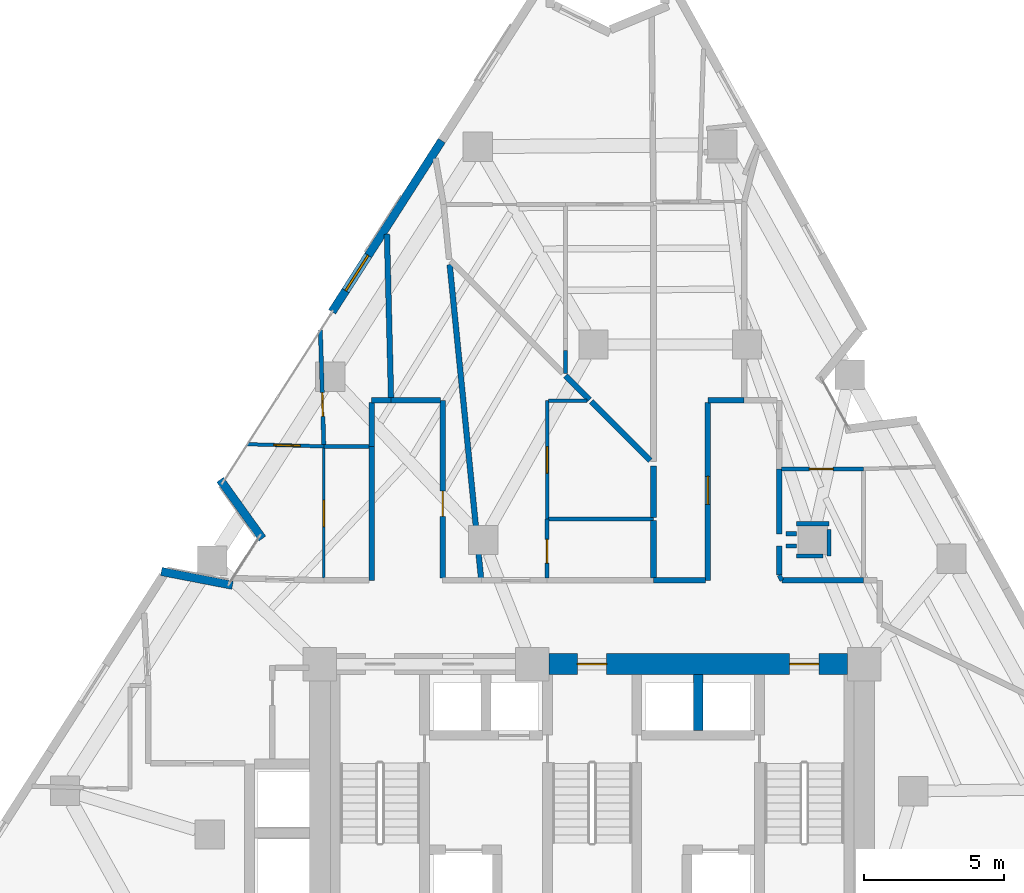
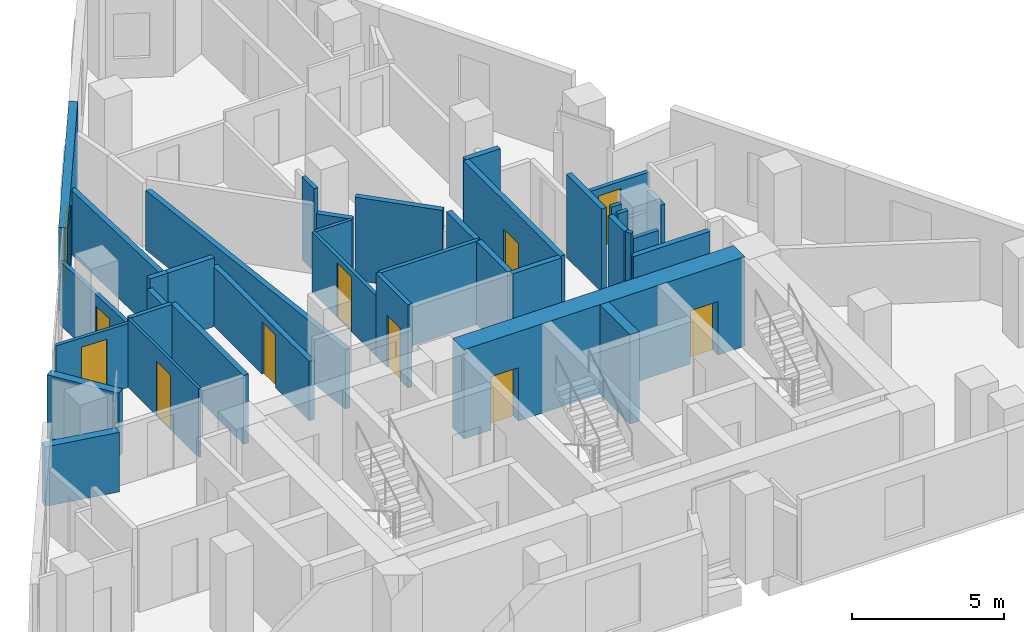
# One storey, part 7 of 11: 38 walls, 10 doors, 1 window, 11 openings.
"""IFC4 building model written with IfcOpenShell, lengths in metres."""

from ifc_helpers import new_model, si_unit, direction, frame, frame_2d, origin, place, context, subcontext, project, spatial, rectangle, extrude, material, layer, layer_set, type_object, element, fill, save


model = new_model("IFC4")

# Units and contexts
model_context = context("Model", 3, precision=1e-05, world=origin(), true_north=direction((0.0, 1.0)))
body_context = subcontext(model_context, "Body", "Model", "MODEL_VIEW")
ifc_project = project(units=[si_unit("LENGTHUNIT", "METRE"), si_unit("AREAUNIT", "SQUARE_METRE"), si_unit("VOLUMEUNIT", "CUBIC_METRE"), si_unit("PLANEANGLEUNIT", "RADIAN"), si_unit("MASSUNIT", "GRAM", prefix="KILO")], contexts=[model_context])

# Site, building, storey
site_placement = place(None, origin())
site = spatial("IfcSite", under=ifc_project, at=site_placement, CompositionType="ELEMENT")
building_placement = place(site_placement, origin())
building = spatial("IfcBuilding", under=site, at=building_placement, Name="Almagre Mirador Tower", CompositionType="ELEMENT")
storey_placement = place(building_placement, frame((0.0, 0.0, 168.0)))
storey = spatial("IfcBuildingStorey", under=building, at=storey_placement, Name="L43", CompositionType="ELEMENT", Elevation=168.0)

# Walls
ifc_material_1 = material(Name="Precast concrete C50/60", Category="concrete")
ifc_layer_1 = layer(ifc_material_1, 0.300048828125)
ifc_layer_set_1 = layer_set([ifc_layer_1], Name="Precast concrete C50/60")
wall_type_1 = type_object("IfcWallType", Name="WAL-EXT-300", PredefinedType="SOLIDWALL", material=ifc_layer_set_1)
wall_1_placement = place(storey_placement, frame((21.87060546875, 18.069580078125, 0.0), z_axis=(0.0, 0.0, 1.0), x_axis=(0.98176398898, -0.190103839891, 0.0)))
element("IfcWall", 1, at=wall_1_placement, inside=storey, type_object=wall_type_1, Name="L43 expressed almagre precast frame wall 01", PredefinedType="SOLIDWALL", context=body_context, shape_type="SweptSolid", body=[
    extrude(rectangle(XDim=2.59423828125, YDim=0.300048828125, at=frame_2d((1.297119140625, 0.0))), origin(), (0.0, 0.0, 1.0), 2.39794921875),
])
wall_2_placement = place(storey_placement, frame((25.488525390625, 19.249267578125, 0.0), z_axis=(0.0, 0.0, 1.0), x_axis=(-0.58299973372, 0.812472344442, 0.0)))
element("IfcWall", 2, at=wall_2_placement, inside=storey, type_object=wall_type_1, Name="L43 expressed almagre precast frame wall 02", PredefinedType="SOLIDWALL", context=body_context, shape_type="SweptSolid", body=[
    extrude(rectangle(XDim=2.59375, YDim=0.300048828125, at=frame_2d((1.296875, 0.0))), origin(), (0.0, 0.0, 1.0), 2.574951171875),
])

# Wall, opening, window
wall_3_placement = place(storey_placement, frame((27.986083984375, 27.372802734375, 0.0), z_axis=(0.0, 0.0, 1.0), x_axis=(0.539557017358, 0.841949063198, 0.0)))
wall_3 = element("IfcWall", 3, at=wall_3_placement, inside=storey, type_object=wall_type_1, Name="L43 expressed almagre precast frame wall 03", PredefinedType="SOLIDWALL", context=body_context, shape_type="SweptSolid", body=[
    extrude(rectangle(XDim=7.280029296875, YDim=0.300048828125, at=frame_2d((3.64013671875, 0.0))), origin(), (0.0, 0.0, 1.0), 3.35009765625),
])
opening_1_placement = place(wall_3_placement, frame((0.89990234375, 0.0, 0.60009765625)))
opening_1 = element("IfcOpeningElement", 4, at=opening_1_placement, cuts=wall_3, Name="Opening WN-03", PredefinedType="OPENING", context=body_context, shape_type="SweptSolid", body=[
    extrude(rectangle(XDim=1.5, YDim=2.10009765625, at=frame_2d((0.75, 1.050048828125))), frame((0.0, 0.159902, 0.0), z_axis=(0.0, -1.0, 0.0), x_axis=(1.0, 0.0, 0.0)), (0.0, 0.0, 1.0), 0.320049),
])
ifc_material_2 = material(Name="Dark solar-control laminated hurricane glass", Category="glass")
window_type = type_object("IfcWindowType", Name="WIN-1500X2100", PartitioningType="DOUBLE_PANEL_VERTICAL", PredefinedType="WINDOW", material=ifc_material_2)
window_placement = place(opening_1_placement, origin())
window = element("IfcWindow", 5, at=window_placement, inside=storey, type_object=window_type, Name="L43 recessed hurricane window L43-UD-BT", OverallHeight=2.10009765625, OverallWidth=1.5, PartitioningType="SINGLE_PANEL", PredefinedType="WINDOW", context=body_context, shape_type="SweptSolid", body=[
    extrude(rectangle(XDim=1.5, YDim=2.10009765625, at=frame_2d((0.75, 1.050048828125))), frame((0.0, 0.030029296875, 0.0), z_axis=(0.0, -1.0, 0.0), x_axis=(1.0, 0.0, 0.0)), (0.0, 0.0, 1.0), 0.06005859375),
])
fill(opening_1, window)

# Wall, opening, door
ifc_material_3 = material(Name="Gypsum acoustic stud partition", Category="other")
ifc_layer_2 = layer(ifc_material_3, 0.10009765625)
ifc_layer_set_2 = layer_set([ifc_layer_2], Name="Gypsum acoustic stud partition")
wall_type_2 = type_object("IfcWallType", Name="WAL-PRT-100-CLS", PredefinedType="PARTITIONING", material=ifc_layer_set_2)
wall_4_placement = place(storey_placement, frame((27.68994140625, 17.8349609375, 0.0), z_axis=(0.0, 0.0, 1.0), x_axis=(0.0, 1.0, 0.0)))
wall_4 = element("IfcWall", 6, at=wall_4_placement, inside=storey, type_object=wall_type_2, Name="L43 interior partition 038", PredefinedType="PARTITIONING", context=body_context, shape_type="SweptSolid", body=[
    extrude(rectangle(XDim=4.66748046875, YDim=0.10009765625, at=frame_2d((2.333740234375, 0.0))), origin(), (0.0, 0.0, 1.0), 2.77099609375),
])
opening_2_placement = place(wall_4_placement, frame((1.840087890625, 0.0, 0.0)))
opening_2 = element("IfcOpeningElement", 7, at=opening_2_placement, cuts=wall_4, Name="Opening UD-01", PredefinedType="OPENING", context=body_context, shape_type="SweptSolid", body=[
    extrude(rectangle(XDim=0.949951171875, YDim=2.199951171875, at=frame_2d((0.47509765625, 1.10009765625))), frame((0.0, 0.060049, 0.0), z_axis=(0.0, -1.0, 0.0), x_axis=(1.0, 0.0, 0.0)), (0.0, 0.0, 1.0), 0.120098),
])
ifc_material_4 = material(Name="Solid American walnut timber", Category="wood")
door_type_1 = type_object("IfcDoorType", Name="DOR-UNR-950X2200", OperationType="NOTDEFINED", PredefinedType="DOOR", material=ifc_material_4)
door_1_placement = place(opening_2_placement, origin())
door_1 = element("IfcDoor", 8, at=door_1_placement, inside=storey, type_object=door_type_1, Name="DR-1382 L43 interior door L43-UD-LV to L43-UD-SD1", OperationType="SINGLE_SWING_LEFT", OverallHeight=2.199951171875, OverallWidth=0.949951171875, PredefinedType="DOOR", context=body_context, shape_type="SweptSolid", body=[
    extrude(rectangle(XDim=0.949951171875, YDim=2.199951171875, at=frame_2d((0.47509765625, 1.10009765625))), frame((0.0, 0.02490234375, 0.0), z_axis=(0.0, -1.0, 0.0), x_axis=(1.0, 0.0, 0.0)), (0.0, 0.0, 1.0), 0.050048828125),
])
fill(opening_2, door_1)

ifc_material_5 = material(Name="Gypsum acoustic stud partition", Category="other")
ifc_layer_3 = layer(ifc_material_5, 0.125)
ifc_layer_set_3 = layer_set([ifc_layer_3], Name="Gypsum acoustic stud partition")
wall_type_3 = type_object("IfcWallType", Name="WAL-PRT-125-UTL", PredefinedType="PARTITIONING", material=ifc_layer_set_3)
wall_5_placement = place(storey_placement, frame((27.68994140625, 22.550048828125, 0.0), z_axis=(0.0, 0.0, 1.0), x_axis=(-0.999587284498, 0.028727350555, 0.0)))
wall_5 = element("IfcWall", 9, at=wall_5_placement, inside=storey, type_object=wall_type_3, Name="L43 interior partition 037", PredefinedType="PARTITIONING", context=body_context, shape_type="SweptSolid", body=[
    extrude(rectangle(XDim=2.7451171875, YDim=0.125, at=frame_2d((1.37255859375, 0.0))), origin(), (0.0, 0.0, 1.0), 2.570068359375),
])
opening_3_placement = place(wall_5_placement, frame((0.83935546875, 0.0, 0.0)))
opening_3 = element("IfcOpeningElement", 10, at=opening_3_placement, cuts=wall_5, Name="Opening UD-01", PredefinedType="OPENING", context=body_context, shape_type="SweptSolid", body=[
    extrude(rectangle(XDim=0.949951171875, YDim=2.199951171875, at=frame_2d((0.47509765625, 1.10009765625))), frame((0.0, 0.0725, 0.0), z_axis=(0.0, -1.0, 0.0), x_axis=(1.0, 0.0, 0.0)), (0.0, 0.0, 1.0), 0.145),
])
door_2_placement = place(opening_3_placement, origin())
door_2 = element("IfcDoor", 11, at=door_2_placement, inside=storey, type_object=door_type_1, Name="DR-1381 L43 interior door L43-UD-LV to L43-UD-KT", OperationType="SINGLE_SWING_RIGHT", OverallHeight=2.199951171875, OverallWidth=0.949951171875, PredefinedType="DOOR", context=body_context, shape_type="SweptSolid", body=[
    extrude(rectangle(XDim=0.949951171875, YDim=2.199951171875, at=frame_2d((0.47509765625, 1.10009765625))), frame((0.0, 0.02490234375, 0.0), z_axis=(0.0, -1.0, 0.0), x_axis=(1.0, 0.0, 0.0)), (0.0, 0.0, 1.0), 0.050048828125),
])
fill(opening_3, door_2)

wall_6_placement = place(storey_placement, frame((35.68994140625, 19.949951171875, 0.0), z_axis=(0.0, 0.0, 1.0), x_axis=(0.0, 1.0, 0.0)))
wall_6 = element("IfcWall", 12, at=wall_6_placement, inside=storey, type_object=wall_type_3, Name="L43 interior partition 045", PredefinedType="PARTITIONING", context=body_context, shape_type="SweptSolid", body=[
    extrude(rectangle(XDim=4.239990234375, YDim=0.125, at=frame_2d((2.1201171875, 0.0))), origin(), (0.0, 0.0, 1.0), 2.43603515625),
])
opening_4_placement = place(wall_6_placement, frame((1.64501953125, 0.0, 0.0)))
opening_4 = element("IfcOpeningElement", 13, at=opening_4_placement, cuts=wall_6, Name="Opening UD-01", PredefinedType="OPENING", context=body_context, shape_type="SweptSolid", body=[
    extrude(rectangle(XDim=0.949951171875, YDim=2.199951171875, at=frame_2d((0.47509765625, 1.10009765625))), frame((0.0, 0.0725, 0.0), z_axis=(0.0, -1.0, 0.0), x_axis=(1.0, 0.0, 0.0)), (0.0, 0.0, 1.0), 0.145),
])
door_3_placement = place(opening_4_placement, origin())
door_3 = element("IfcDoor", 14, at=door_3_placement, inside=storey, type_object=door_type_1, Name="DR-1385 L43 interior door L43-UF-ST to L43-UF-KT", OperationType="SINGLE_SWING_RIGHT", OverallHeight=2.199951171875, OverallWidth=0.949951171875, PredefinedType="DOOR", context=body_context, shape_type="SweptSolid", body=[
    extrude(rectangle(XDim=0.949951171875, YDim=2.199951171875, at=frame_2d((0.47509765625, 1.10009765625))), frame((0.0, 0.02490234375, 0.0), z_axis=(0.0, -1.0, 0.0), x_axis=(1.0, 0.0, 0.0)), (0.0, 0.0, 1.0), 0.050048828125),
])
fill(opening_4, door_3)

# Wall
wall_7_placement = place(storey_placement, frame((35.737548828125, 24.18994140625, 0.0), z_axis=(0.0, 0.0, 1.0), x_axis=(1.0, 0.0, 0.0)))
element("IfcWall", 15, at=wall_7_placement, inside=storey, type_object=wall_type_3, Name="L43 interior partition 046", PredefinedType="PARTITIONING", context=body_context, shape_type="SweptSolid", body=[
    extrude(rectangle(XDim=1.37744140625, YDim=0.125, at=frame_2d((0.688720703125, 0.0))), origin(), (0.0, 0.0, 1.0), 2.43603515625),
])

# Wall, opening, door
ifc_material_6 = material(Name="Gypsum acoustic stud partition", Category="other")
ifc_layer_4 = layer(ifc_material_6, 0.14990234375)
ifc_layer_set_4 = layer_set([ifc_layer_4], Name="Gypsum acoustic stud partition")
wall_type_4 = type_object("IfcWallType", Name="WAL-PRT-150-STD", PredefinedType="PARTITIONING", material=ifc_layer_set_4)
wall_8_placement = place(storey_placement, frame((27.56689453125, 26.718994140625, 0.0), z_axis=(0.0, 0.0, 1.0), x_axis=(0.029545205492, -0.999563445126, 0.0)))
wall_8 = element("IfcWall", 16, at=wall_8_placement, inside=storey, type_object=wall_type_4, Name="L43 interior partition 039", PredefinedType="PARTITIONING", context=body_context, shape_type="SweptSolid", body=[
    extrude(rectangle(XDim=4.123291015625, YDim=0.14990234375, at=frame_2d((2.0615234375, 0.0))), origin(), (0.0, 0.0, 1.0), 2.570068359375),
])
opening_5_placement = place(wall_8_placement, frame((2.2451171875, 0.0, 0.0)))
opening_5 = element("IfcOpeningElement", 17, at=opening_5_placement, cuts=wall_8, Name="Opening UD-04", PredefinedType="OPENING", context=body_context, shape_type="SweptSolid", body=[
    extrude(rectangle(XDim=0.85009765625, YDim=2.10009765625, at=frame_2d((0.425048828125, 1.050048828125))), frame((0.0, 0.084951, 0.0), z_axis=(0.0, -1.0, 0.0), x_axis=(1.0, 0.0, 0.0)), (0.0, 0.0, 1.0), 0.169902),
])
ifc_material_7 = material(Name="Moisture-resistant oak timber", Category="wood")
door_type_2 = type_object("IfcDoorType", Name="DOR-UNR-850X2100", OperationType="NOTDEFINED", PredefinedType="DOOR", material=ifc_material_7)
door_4_placement = place(opening_5_placement, origin())
door_4 = element("IfcDoor", 18, at=door_4_placement, inside=storey, type_object=door_type_2, Name="DR-1383 L43 interior door L43-UD-BT to L43-UD-KT", OperationType="SINGLE_SWING_RIGHT", OverallHeight=2.10009765625, OverallWidth=0.85009765625, PredefinedType="DOOR", context=body_context, shape_type="SweptSolid", body=[
    extrude(rectangle(XDim=0.85009765625, YDim=2.10009765625, at=frame_2d((0.425048828125, 1.050048828125))), frame((0.0, 0.02490234375, 0.0), z_axis=(0.0, -1.0, 0.0), x_axis=(1.0, 0.0, 0.0)), (0.0, 0.0, 1.0), 0.050048828125),
])
fill(opening_5, door_4)

# Wall
wall_9_placement = place(storey_placement, frame((27.702392578125, 22.550048828125, 0.0), z_axis=(0.0, 0.0, 1.0), x_axis=(1.0, 0.0, 0.0)))
element("IfcWall", 19, at=wall_9_placement, inside=storey, type_object=wall_type_4, Name="L43 interior partition 040", PredefinedType="PARTITIONING", context=body_context, shape_type="SweptSolid", body=[
    extrude(rectangle(XDim=1.612548828125, YDim=0.14990234375, at=frame_2d((0.80615234375, 0.0))), origin(), (0.0, 0.0, 1.0), 2.77099609375),
])

# Wall, opening, door
wall_10_placement = place(storey_placement, frame((35.68994140625, 17.8349609375, 0.0), z_axis=(0.0, 0.0, 1.0), x_axis=(0.0, 1.0, 0.0)))
wall_10 = element("IfcWall", 20, at=wall_10_placement, inside=storey, type_object=wall_type_4, Name="L43 interior partition 047", PredefinedType="PARTITIONING", context=body_context, shape_type="SweptSolid", body=[
    extrude(rectangle(XDim=2.114990234375, YDim=0.14990234375, at=frame_2d((1.0576171875, 0.0))), origin(), (0.0, 0.0, 1.0), 3.35009765625),
])
opening_6_placement = place(wall_10_placement, frame((0.530517578125, 0.0, 0.0)))
opening_6 = element("IfcOpeningElement", 21, at=opening_6_placement, cuts=wall_10, Name="Opening UD-04", PredefinedType="OPENING", context=body_context, shape_type="SweptSolid", body=[
    extrude(rectangle(XDim=0.85009765625, YDim=2.10009765625, at=frame_2d((0.425048828125, 1.050048828125))), frame((0.0, 0.084951, 0.0), z_axis=(0.0, -1.0, 0.0), x_axis=(1.0, 0.0, 0.0)), (0.0, 0.0, 1.0), 0.169902),
])
door_5_placement = place(opening_6_placement, origin())
door_5 = element("IfcDoor", 22, at=door_5_placement, inside=storey, type_object=door_type_2, Name="DR-1386 L43 interior door L43-UF-ST to L43-UF-BT", OperationType="SINGLE_SWING_LEFT", OverallHeight=2.10009765625, OverallWidth=0.85009765625, PredefinedType="DOOR", context=body_context, shape_type="SweptSolid", body=[
    extrude(rectangle(XDim=0.85009765625, YDim=2.10009765625, at=frame_2d((0.425048828125, 1.050048828125))), frame((0.0, 0.02490234375, 0.0), z_axis=(0.0, -1.0, 0.0), x_axis=(1.0, 0.0, 0.0)), (0.0, 0.0, 1.0), 0.050048828125),
])
fill(opening_6, door_5)

# Wall
wall_11_placement = place(storey_placement, frame((35.737548828125, 19.949951171875, 0.0), z_axis=(0.0, 0.0, 1.0), x_axis=(1.0, 0.0, 0.0)))
element("IfcWall", 23, at=wall_11_placement, inside=storey, type_object=wall_type_4, Name="L43 interior partition 050", PredefinedType="PARTITIONING", context=body_context, shape_type="SweptSolid", body=[
    extrude(rectangle(XDim=3.762451171875, YDim=0.14990234375, at=frame_2d((1.88134765625, 0.0))), origin(), (0.0, 0.0, 1.0), 3.35009765625),
])

# Wall, opening, door
wall_12_placement = place(storey_placement, frame((44.0849609375, 21.739990234375, 0.0), z_axis=(0.0, 0.0, 1.0), x_axis=(1.0, 0.0, 0.0)))
wall_12 = element("IfcWall", 24, at=wall_12_placement, inside=storey, type_object=wall_type_4, Name="L43 interior partition 054", PredefinedType="PARTITIONING", context=body_context, shape_type="SweptSolid", body=[
    extrude(rectangle(XDim=2.93505859375, YDim=0.14990234375, at=frame_2d((1.467529296875, 0.0))), origin(), (0.0, 0.0, 1.0), 2.39306640625),
])
opening_7_placement = place(wall_12_placement, frame((1.0, 0.0, 0.0)))
opening_7 = element("IfcOpeningElement", 25, at=opening_7_placement, cuts=wall_12, Name="Opening UD-04", PredefinedType="OPENING", context=body_context, shape_type="SweptSolid", body=[
    extrude(rectangle(XDim=0.85009765625, YDim=2.10009765625, at=frame_2d((0.425048828125, 1.050048828125))), frame((0.0, 0.084951, 0.0), z_axis=(0.0, -1.0, 0.0), x_axis=(1.0, 0.0, 0.0)), (0.0, 0.0, 1.0), 0.169902),
])
door_6_placement = place(opening_7_placement, origin())
door_6 = element("IfcDoor", 26, at=door_6_placement, inside=storey, type_object=door_type_2, Name="DR-1389 L43 interior door L43-UG-ST to L43-UG-BT", OperationType="SINGLE_SWING_RIGHT", OverallHeight=2.10009765625, OverallWidth=0.85009765625, PredefinedType="DOOR", context=body_context, shape_type="SweptSolid", body=[
    extrude(rectangle(XDim=0.85009765625, YDim=2.10009765625, at=frame_2d((0.425048828125, 1.050048828125))), frame((0.0, 0.02490234375, 0.0), z_axis=(0.0, -1.0, 0.0), x_axis=(1.0, 0.0, 0.0)), (0.0, 0.0, 1.0), 0.050048828125),
])
fill(opening_7, door_6)

# Walls
wall_13_placement = place(storey_placement, frame((36.35009765625, 25.1650390625, 0.0), z_axis=(0.0, 0.0, 1.0), x_axis=(0.0, 1.0, 0.0)))
element("IfcWall", 27, at=wall_13_placement, inside=storey, type_object=wall_type_4, Name="L43 interior partition 062", PredefinedType="PARTITIONING", context=body_context, shape_type="SweptSolid", body=[
    extrude(rectangle(XDim=0.81494140625, YDim=0.14990234375, at=frame_2d((0.407470703125, 0.0))), origin(), (0.0, 0.0, 1.0), 3.35009765625),
])
wall_14_placement = place(storey_placement, frame((44.239990234375, 19.419921875, 0.0), z_axis=(0.0, 0.0, 1.0), x_axis=(1.0, 0.0, 0.0)))
element("IfcWall", 28, at=wall_14_placement, inside=storey, type_object=wall_type_4, Name="L43 interior partition 068", PredefinedType="PARTITIONING", context=body_context, shape_type="SweptSolid", body=[
    extrude(rectangle(XDim=0.380126953125, YDim=0.14990234375, at=frame_2d((0.18994140625, 0.0))), origin(), (0.0, 0.0, 1.0), 3.35009765625),
])
wall_15_placement = place(storey_placement, frame((44.6201171875, 19.780029296875, 0.0), z_axis=(0.0, 0.0, 1.0), x_axis=(1.0, 0.0, 0.0)))
element("IfcWall", 29, at=wall_15_placement, inside=storey, type_object=wall_type_4, Name="L43 interior partition 069", PredefinedType="PARTITIONING", context=body_context, shape_type="SweptSolid", body=[
    extrude(rectangle(XDim=1.169921875, YDim=0.14990234375, at=frame_2d((0.5849609375, 0.0))), origin(), (0.0, 0.0, 1.0), 2.39306640625),
])
wall_16_placement = place(storey_placement, frame((45.7900390625, 19.56494140625, 0.0), z_axis=(0.0, 0.0, 1.0), x_axis=(0.0, -1.0, 0.0)))
element("IfcWall", 30, at=wall_16_placement, inside=storey, type_object=wall_type_4, Name="L43 interior partition 070", PredefinedType="PARTITIONING", context=body_context, shape_type="SweptSolid", body=[
    extrude(rectangle(XDim=0.94482421875, YDim=0.14990234375, at=frame_2d((0.472412109375, 0.0))), origin(), (0.0, 0.0, 1.0), 3.35009765625),
])
wall_17_placement = place(storey_placement, frame((45.574951171875, 18.6201171875, 0.0), z_axis=(0.0, 0.0, 1.0), x_axis=(-1.0, 0.0, 0.0)))
element("IfcWall", 31, at=wall_17_placement, inside=storey, type_object=wall_type_4, Name="L43 interior partition 071", PredefinedType="PARTITIONING", context=body_context, shape_type="SweptSolid", body=[
    extrude(rectangle(XDim=0.954833984375, YDim=0.14990234375, at=frame_2d((0.4775390625, 0.0))), origin(), (0.0, 0.0, 1.0), 2.43603515625),
])
wall_18_placement = place(storey_placement, frame((44.6201171875, 18.97998046875, 0.0), z_axis=(0.0, 0.0, 1.0), x_axis=(-1.0, 0.0, 0.0)))
element("IfcWall", 32, at=wall_18_placement, inside=storey, type_object=wall_type_4, Name="L43 interior partition 072", PredefinedType="PARTITIONING", context=body_context, shape_type="SweptSolid", body=[
    extrude(rectangle(XDim=0.380126953125, YDim=0.14990234375, at=frame_2d((0.18994140625, 0.0))), origin(), (0.0, 0.0, 1.0), 3.35009765625),
])
wall_19_placement = place(storey_placement, frame((44.0, 17.93994140625, 0.0), z_axis=(0.0, 0.0, 1.0), x_axis=(0.46621502449, -0.884671436715, 0.0)))
element("IfcWall", 33, at=wall_19_placement, inside=storey, type_object=wall_type_4, Name="L43 interior partition 073", PredefinedType="PARTITIONING", context=body_context, shape_type="SweptSolid", body=[
    extrude(rectangle(XDim=0.214599609375, YDim=0.14990234375, at=frame_2d((0.107421875, 0.0))), origin(), (0.0, 0.0, 1.0), 3.35009765625),
])
ifc_material_8 = material(Name="Gypsum acoustic stud partition", Category="other")
ifc_layer_5 = layer(ifc_material_8, 0.199951171875)
ifc_layer_set_5 = layer_set([ifc_layer_5], Name="Gypsum acoustic stud partition")
wall_type_5 = type_object("IfcWallType", Name="WAL-PRT-200-EI60", PredefinedType="PARTITIONING", material=ifc_layer_set_5)
wall_20_placement = place(storey_placement, frame((30.10009765625, 24.199951171875, 0.0), z_axis=(0.0, 0.0, 1.0), x_axis=(-1.0, 0.0, 0.0)))
element("IfcWall", 34, at=wall_20_placement, inside=storey, type_object=wall_type_5, Name="L43 interior partition 005", PredefinedType="PARTITIONING", context=body_context, shape_type="SweptSolid", body=[
    extrude(rectangle(XDim=0.7001953125, YDim=0.199951171875, at=frame_2d((0.35009765625, 0.0))), origin(), (0.0, 0.0, 1.0), 2.77099609375),
])
wall_21_placement = place(storey_placement, frame((29.39990234375, 24.114990234375, 0.0), z_axis=(0.0, 0.0, 1.0), x_axis=(0.0, -1.0, 0.0)))
element("IfcWall", 35, at=wall_21_placement, inside=storey, type_object=wall_type_5, Name="L43 interior partition 006", PredefinedType="PARTITIONING", context=body_context, shape_type="SweptSolid", body=[
    extrude(rectangle(XDim=1.56494140625, YDim=0.199951171875, at=frame_2d((0.782470703125, 0.0))), origin(), (0.0, 0.0, 1.0), 2.39306640625),
])
wall_22_placement = place(storey_placement, frame((29.39990234375, 22.550048828125, 0.0), z_axis=(0.0, 0.0, 1.0), x_axis=(0.0, -1.0, 0.0)))
element("IfcWall", 36, at=wall_22_placement, inside=storey, type_object=wall_type_5, Name="L43 interior partition 007", PredefinedType="PARTITIONING", context=body_context, shape_type="SweptSolid", body=[
    extrude(rectangle(XDim=4.800048828125, YDim=0.199951171875, at=frame_2d((2.39990234375, 0.0))), origin(), (0.0, 0.0, 1.0), 2.77099609375),
])

# Wall, opening, door
wall_23_placement = place(storey_placement, frame((31.949951171875, 17.8349609375, 0.0), z_axis=(0.0, 0.0, 1.0), x_axis=(0.0, 1.0, 0.0)))
wall_23 = element("IfcWall", 37, at=wall_23_placement, inside=storey, type_object=wall_type_5, Name="L43 interior partition 010", PredefinedType="PARTITIONING", context=body_context, shape_type="SweptSolid", body=[
    extrude(rectangle(XDim=6.364990234375, YDim=0.199951171875, at=frame_2d((3.1826171875, 0.0))), origin(), (0.0, 0.0, 1.0), 2.39306640625),
])
opening_8_placement = place(wall_23_placement, frame((2.2109375, 0.0, 0.0)))
opening_8 = element("IfcOpeningElement", 38, at=opening_8_placement, cuts=wall_23, Name="Opening ID-03", PredefinedType="OPENING", context=body_context, shape_type="SweptSolid", body=[
    extrude(rectangle(XDim=0.89990234375, YDim=2.10009765625, at=frame_2d((0.449951171875, 1.050048828125))), frame((0.0, 0.110098, 0.0), z_axis=(0.0, -1.0, 0.0), x_axis=(1.0, 0.0, 0.0)), (0.0, 0.0, 1.0), 0.219951),
])
ifc_material_9 = material(Name="Fire-rated hollow steel", Category="steel")
door_type_3 = type_object("IfcDoorType", Name="DOR-FD60-900X2100", OperationType="NOTDEFINED", PredefinedType="DOOR", material=ifc_material_9)
door_7_placement = place(opening_8_placement, origin())
door_7 = element("IfcDoor", 39, at=door_7_placement, inside=storey, type_object=door_type_3, Name="DR-1376 L43 interior door L43-RCOR to L43-RST-E", OperationType="SINGLE_SWING_RIGHT", OverallHeight=2.10009765625, OverallWidth=0.89990234375, PredefinedType="DOOR", context=body_context, shape_type="SweptSolid", body=[
    extrude(rectangle(XDim=0.89990234375, YDim=2.10009765625, at=frame_2d((0.449951171875, 1.050048828125))), frame((0.0, 0.02490234375, 0.0), z_axis=(0.0, -1.0, 0.0), x_axis=(1.0, 0.0, 0.0)), (0.0, 0.0, 1.0), 0.050048828125),
])
fill(opening_8, door_7)

# Walls
wall_24_placement = place(storey_placement, frame((31.864990234375, 24.199951171875, 0.0), z_axis=(0.0, 0.0, 1.0), x_axis=(-1.0, 0.0, 0.0)))
element("IfcWall", 40, at=wall_24_placement, inside=storey, type_object=wall_type_5, Name="L43 interior partition 011", PredefinedType="PARTITIONING", context=body_context, shape_type="SweptSolid", body=[
    extrude(rectangle(XDim=1.764892578125, YDim=0.199951171875, at=frame_2d((0.88232421875, 0.0))), origin(), (0.0, 0.0, 1.0), 2.77099609375),
])
wall_25_placement = place(storey_placement, frame((44.0, 17.93994140625, 0.0), z_axis=(0.0, 0.0, 1.0), x_axis=(0.0, 1.0, 0.0)))
element("IfcWall", 41, at=wall_25_placement, inside=storey, type_object=wall_type_5, Name="L43 interior partition 016", PredefinedType="PARTITIONING", context=body_context, shape_type="SweptSolid", body=[
    extrude(rectangle(XDim=1.0400390625, YDim=0.199951171875, at=frame_2d((0.52001953125, 0.0))), origin(), (0.0, 0.0, 1.0), 3.35009765625),
])
wall_26_placement = place(storey_placement, frame((44.0, 19.419921875, 0.0), z_axis=(0.0, 0.0, 1.0), x_axis=(0.0, 1.0, 0.0)))
element("IfcWall", 42, at=wall_26_placement, inside=storey, type_object=wall_type_5, Name="L43 interior partition 017", PredefinedType="PARTITIONING", context=body_context, shape_type="SweptSolid", body=[
    extrude(rectangle(XDim=2.320068359375, YDim=0.199951171875, at=frame_2d((1.16015625, 0.0))), origin(), (0.0, 0.0, 1.0), 3.35009765625),
])
wall_27_placement = place(storey_placement, frame((47.02001953125, 17.75, 0.0), z_axis=(0.0, 0.0, 1.0), x_axis=(-1.0, 0.0, 0.0)))
element("IfcWall", 43, at=wall_27_placement, inside=storey, type_object=wall_type_5, Name="L43 interior partition 018", PredefinedType="PARTITIONING", context=body_context, shape_type="SweptSolid", body=[
    extrude(rectangle(XDim=2.919921875, YDim=0.199951171875, at=frame_2d((1.4599609375, 0.0))), origin(), (0.0, 0.0, 1.0), 2.43603515625),
])
wall_28_placement = place(storey_placement, frame((42.75, 24.199951171875, 0.0), z_axis=(0.0, 0.0, 1.0), x_axis=(-1.0, 0.0, 0.0)))
element("IfcWall", 44, at=wall_28_placement, inside=storey, type_object=wall_type_5, Name="L43 interior partition 021", PredefinedType="PARTITIONING", context=body_context, shape_type="SweptSolid", body=[
    extrude(rectangle(XDim=1.300048828125, YDim=0.199951171875, at=frame_2d((0.64990234375, 0.0))), origin(), (0.0, 0.0, 1.0), 3.35009765625),
])

# Wall, opening, door
wall_29_placement = place(storey_placement, frame((41.449951171875, 24.114990234375, 0.0), z_axis=(0.0, 0.0, 1.0), x_axis=(0.0, -1.0, 0.0)))
wall_29 = element("IfcWall", 45, at=wall_29_placement, inside=storey, type_object=wall_type_5, Name="L43 interior partition 022", PredefinedType="PARTITIONING", context=body_context, shape_type="SweptSolid", body=[
    extrude(rectangle(XDim=6.364990234375, YDim=0.199951171875, at=frame_2d((3.1826171875, 0.0))), origin(), (0.0, 0.0, 1.0), 3.35009765625),
])
opening_9_placement = place(wall_29_placement, frame((2.639892578125, 0.0, 0.0)))
opening_9 = element("IfcOpeningElement", 46, at=opening_9_placement, cuts=wall_29, Name="Opening ID-01", PredefinedType="OPENING", context=body_context, shape_type="SweptSolid", body=[
    extrude(rectangle(XDim=1.0, YDim=2.199951171875, at=frame_2d((0.5, 1.10009765625))), frame((0.0, 0.110098, 0.0), z_axis=(0.0, -1.0, 0.0), x_axis=(1.0, 0.0, 0.0)), (0.0, 0.0, 1.0), 0.219951),
])
ifc_material_10 = material(Name="Fire-rated walnut timber", Category="wood")
door_type_4 = type_object("IfcDoorType", Name="DOR-FD60-1000X2200", OperationType="NOTDEFINED", PredefinedType="DOOR", material=ifc_material_10)
door_8_placement = place(opening_9_placement, origin())
door_8 = element("IfcDoor", 47, at=door_8_placement, inside=storey, type_object=door_type_4, Name="DR-1392 L43 interior door L43-RCOR to L43-UJ-ST", OperationType="SINGLE_SWING_LEFT", OverallHeight=2.199951171875, OverallWidth=1.0, PredefinedType="DOOR", context=body_context, shape_type="SweptSolid", body=[
    extrude(rectangle(XDim=1.0, YDim=2.199951171875, at=frame_2d((0.5, 1.10009765625))), frame((0.0, 0.02490234375, 0.0), z_axis=(0.0, -1.0, 0.0), x_axis=(1.0, 0.0, 0.0)), (0.0, 0.0, 1.0), 0.050048828125),
])
fill(opening_9, door_8)

# Walls
wall_30_placement = place(storey_placement, frame((41.364990234375, 17.75, 0.0), z_axis=(0.0, 0.0, 1.0), x_axis=(-1.0, 0.0, 0.0)))
element("IfcWall", 48, at=wall_30_placement, inside=storey, type_object=wall_type_5, Name="L43 interior partition 023", PredefinedType="PARTITIONING", context=body_context, shape_type="SweptSolid", body=[
    extrude(rectangle(XDim=1.864990234375, YDim=0.199951171875, at=frame_2d((0.9326171875, 0.0))), origin(), (0.0, 0.0, 1.0), 3.35009765625),
])
wall_31_placement = place(storey_placement, frame((30.098388671875, 24.284912109375, 0.0), z_axis=(0.0, 0.0, 1.0), x_axis=(-0.025130446789, 0.999684180451, 0.0)))
element("IfcWall", 49, at=wall_31_placement, inside=storey, type_object=wall_type_5, Name="L43 interior partition 041", PredefinedType="PARTITIONING", context=body_context, shape_type="SweptSolid", body=[
    extrude(rectangle(XDim=5.867919921875, YDim=0.199951171875, at=frame_2d((2.93408203125, 0.0))), origin(), (0.0, 0.0, 1.0), 2.570068359375),
])
wall_32_placement = place(storey_placement, frame((33.321533203125, 17.834716796875, 0.0), z_axis=(0.0, 0.0, 1.0), x_axis=(-0.099499433927, 0.99503761871, 0.0)))
element("IfcWall", 50, at=wall_32_placement, inside=storey, type_object=wall_type_5, Name="L43 interior partition 042", PredefinedType="PARTITIONING", context=body_context, shape_type="SweptSolid", body=[
    extrude(rectangle(XDim=11.281982421875, YDim=0.199951171875, at=frame_2d((5.64111328125, 0.0))), origin(), (0.0, 0.0, 1.0), 2.39306640625),
])
wall_33_placement = place(storey_placement, frame((37.206298828125, 24.2236328125, 0.0), z_axis=(0.0, 0.0, 1.0), x_axis=(-0.707005974747, 0.707207573257, 0.0)))
element("IfcWall", 51, at=wall_33_placement, inside=storey, type_object=wall_type_5, Name="L43 interior partition 049", PredefinedType="PARTITIONING", context=body_context, shape_type="SweptSolid", body=[
    extrude(rectangle(XDim=1.2109375, YDim=0.199951171875, at=frame_2d((0.60546875, 0.0))), origin(), (0.0, 0.0, 1.0), 2.43603515625),
])
wall_34_placement = place(storey_placement, frame((39.38330078125, 22.046630859375, 0.0), z_axis=(0.0, 0.0, 1.0), x_axis=(-0.707065866575, 0.707147693431, 0.0)))
element("IfcWall", 52, at=wall_34_placement, inside=storey, type_object=wall_type_5, Name="L43 interior partition 051", PredefinedType="PARTITIONING", context=body_context, shape_type="SweptSolid", body=[
    extrude(rectangle(XDim=2.983642578125, YDim=0.199951171875, at=frame_2d((1.49169921875, 0.0))), origin(), (0.0, 0.0, 1.0), 3.35009765625),
])
wall_35_placement = place(storey_placement, frame((39.5, 20.010009765625, 0.0), z_axis=(0.0, 0.0, 1.0), x_axis=(0.0, 1.0, 0.0)))
element("IfcWall", 53, at=wall_35_placement, inside=storey, type_object=wall_type_5, Name="L43 interior partition 052", PredefinedType="PARTITIONING", context=body_context, shape_type="SweptSolid", body=[
    extrude(rectangle(XDim=1.8349609375, YDim=0.199951171875, at=frame_2d((0.91748046875, 0.0))), origin(), (0.0, 0.0, 1.0), 3.35009765625),
])
wall_36_placement = place(storey_placement, frame((39.5, 17.8349609375, 0.0), z_axis=(0.0, 0.0, 1.0), x_axis=(0.0, 1.0, 0.0)))
element("IfcWall", 54, at=wall_36_placement, inside=storey, type_object=wall_type_5, Name="L43 interior partition 053", PredefinedType="PARTITIONING", context=body_context, shape_type="SweptSolid", body=[
    extrude(rectangle(XDim=2.054931640625, YDim=0.199951171875, at=frame_2d((1.02734375, 0.0))), origin(), (0.0, 0.0, 1.0), 3.35009765625),
])
ifc_material_11 = material(Name="Concrete C60/75", Category="concrete")
ifc_layer_6 = layer(ifc_material_11, 0.35009765625)
ifc_layer_set_6 = layer_set([ifc_layer_6], Name="Concrete C60/75")
wall_type_6 = type_object("IfcWallType", Name="WAL-SHF-350", PredefinedType="SOLIDWALL", material=ifc_layer_set_6)
wall_37_placement = place(storey_placement, frame((41.10009765625, 12.375, 0.0), z_axis=(0.0, 0.0, 1.0), x_axis=(0.0, 1.0, 0.0)))
element("IfcWall", 55, at=wall_37_placement, inside=storey, type_object=wall_type_6, Name="L43 shaft wall PLH-M", PredefinedType="SOLIDWALL", context=body_context, shape_type="SweptSolid", body=[
    extrude(rectangle(XDim=2.0, YDim=0.35009765625, at=frame_2d((1.0, 0.0))), origin(), (0.0, 0.0, 1.0), 3.60009765625),
])

# Wall, openings, doors
ifc_material_12 = material(Name="Concrete C60/75", Category="concrete")
ifc_layer_7 = layer(ifc_material_12, 0.75)
ifc_layer_set_7 = layer_set([ifc_layer_7], Name="Concrete C60/75")
wall_type_7 = type_object("IfcWallType", Name="WAL-SHR-750", PredefinedType="SHEAR", material=ifc_layer_set_7)
wall_38_placement = place(storey_placement, frame((35.75, 14.75, 0.0), z_axis=(0.0, 0.0, 1.0), x_axis=(1.0, 0.0, 0.0)))
wall_38 = element("IfcWall", 56, at=wall_38_placement, inside=storey, type_object=wall_type_7, Name="L43 core shear wall N2", PredefinedType="SHEAR", context=body_context, shape_type="SweptSolid", body=[
    extrude(rectangle(XDim=10.699951171875, YDim=0.75, at=frame_2d((5.35009765625, 0.0))), origin(), (0.0, 0.0, 1.0), 3.60009765625),
])
opening_10_placement = place(wall_38_placement, frame((1.02490234375, 0.0, 0.0)))
opening_10 = element("IfcOpeningElement", 57, at=opening_10_placement, cuts=wall_38, Name="Opening SD-01", PredefinedType="OPENING", context=body_context, shape_type="SweptSolid", body=[
    extrude(rectangle(XDim=1.050048828125, YDim=2.14990234375, at=frame_2d((0.52490234375, 1.074951171875))), frame((0.0, 0.385, 0.0), z_axis=(0.0, -1.0, 0.0), x_axis=(1.0, 0.0, 0.0)), (0.0, 0.0, 1.0), 0.77),
])
opening_11_placement = place(wall_38_placement, frame((8.625, 0.0, 0.0)))
opening_11 = element("IfcOpeningElement", 58, at=opening_11_placement, cuts=wall_38, Name="Opening SD-01", PredefinedType="OPENING", context=body_context, shape_type="SweptSolid", body=[
    extrude(rectangle(XDim=1.050048828125, YDim=2.14990234375, at=frame_2d((0.52490234375, 1.074951171875))), frame((0.0, 0.385, 0.0), z_axis=(0.0, -1.0, 0.0), x_axis=(1.0, 0.0, 0.0)), (0.0, 0.0, 1.0), 0.77),
])
ifc_material_13 = material(Name="Fire-rated hollow steel", Category="steel")
door_type_5 = type_object("IfcDoorType", Name="DOR-ST-1050X2150", OperationType="NOTDEFINED", PredefinedType="DOOR", material=ifc_material_13)
door_9_placement = place(opening_10_placement, origin())
door_9 = element("IfcDoor", 59, at=door_9_placement, inside=storey, type_object=door_type_5, Name="DR-1402 L43 protected exit stair ST-2 door", OperationType="SINGLE_SWING_RIGHT", OverallHeight=2.14990234375, OverallWidth=1.050048828125, PredefinedType="DOOR", context=body_context, shape_type="SweptSolid", body=[
    extrude(rectangle(XDim=1.050048828125, YDim=2.14990234375, at=frame_2d((0.52490234375, 1.074951171875))), frame((0.0, 0.02490234375, 0.0), z_axis=(0.0, -1.0, 0.0), x_axis=(1.0, 0.0, 0.0)), (0.0, 0.0, 1.0), 0.050048828125),
])
fill(opening_10, door_9)
door_10_placement = place(opening_11_placement, origin())
door_10 = element("IfcDoor", 60, at=door_10_placement, inside=storey, type_object=door_type_5, Name="DR-1403 L43 protected exit stair ST-3 door", OperationType="SINGLE_SWING_LEFT", OverallHeight=2.14990234375, OverallWidth=1.050048828125, PredefinedType="DOOR", context=body_context, shape_type="SweptSolid", body=[
    extrude(rectangle(XDim=1.050048828125, YDim=2.14990234375, at=frame_2d((0.52490234375, 1.074951171875))), frame((0.0, 0.02490234375, 0.0), z_axis=(0.0, -1.0, 0.0), x_axis=(1.0, 0.0, 0.0)), (0.0, 0.0, 1.0), 0.050048828125),
])
fill(opening_11, door_10)

save(model, "model.ifc")
